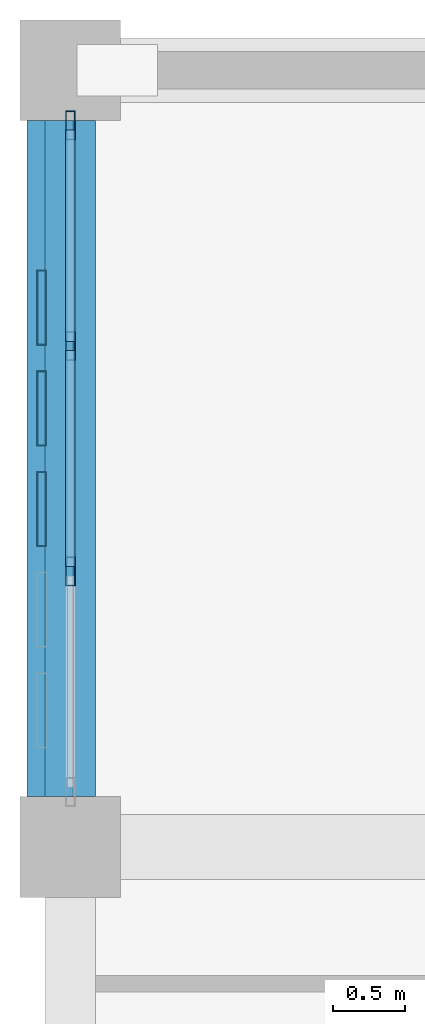
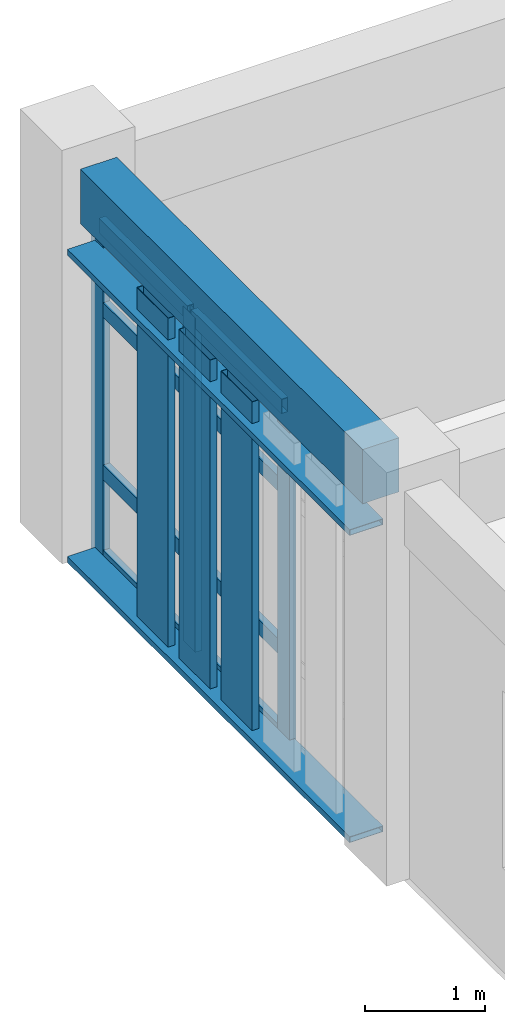
# One storey, part 10 of 23: 16 members, 1 beam, 1 element without a shape of its own.
"""IFC4 building model written with IfcOpenShell, lengths in metres."""

from ifc_helpers import new_model, si_unit, direction, frame, origin, origin_2d, place, context, subcontext, project, spatial, rectangle, hollow_rectangle, extrude, material, layer, layer_set, material_profile, profile_set, type_object, element, aggregate, save


model = new_model("IFC4")

# Units and contexts
model_context = context("Model", 3, precision=1e-05, world=origin(), true_north=direction((0.0, 1.0)))
body_context = subcontext(model_context, "Body", "Model", "MODEL_VIEW")
ifc_project = project(units=[si_unit("LENGTHUNIT", "METRE"), si_unit("AREAUNIT", "SQUARE_METRE"), si_unit("VOLUMEUNIT", "CUBIC_METRE"), si_unit("PLANEANGLEUNIT", "RADIAN"), si_unit("MASSUNIT", "GRAM", prefix="KILO")], contexts=[model_context])

# Site, building, storey
site_placement = place(None, origin())
site = spatial("IfcSite", under=ifc_project, at=site_placement, CompositionType="ELEMENT")
building_placement = place(site_placement, origin())
building = spatial("IfcBuilding", under=site, at=building_placement, Name="Krzemoval Escarpment Law Courts", CompositionType="ELEMENT")
storey_placement = place(building_placement, frame((0.0, 0.0, 25.199951171875)))
storey = spatial("IfcBuildingStorey", under=building, at=storey_placement, Name="L05", CompositionType="ELEMENT", Elevation=25.199951171875)

# Beam
ifc_material_1 = material(Name="Concrete C40/50", Category="concrete")
ifc_material_profile_1 = material_profile(ifc_material_1, rectangle(XDim=0.35009765625, YDim=0.550048828125, at=origin_2d()), Name="RCB 350x550")
ifc_profile_set_1 = profile_set([ifc_material_profile_1], Name="Concrete C40/50")
beam_type = type_object("IfcBeamType", Name="BM-RC-350x550", PredefinedType="BEAM", material=ifc_profile_set_1)
beam_placement = place(storey_placement, frame((126.0, 113.75, 3.675048828125), z_axis=(0.0, 1.0, 0.0), x_axis=(-1.0, 0.0, 0.0)))
element("IfcBeam", 1, at=beam_placement, inside=storey, type_object=beam_type, Name="Beam FG-L05-2601", PredefinedType="BEAM", context=body_context, shape_type="SweptSolid", body=[
    extrude(rectangle(XDim=0.35009765625, YDim=0.550048828125, at=origin_2d()), origin(), (0.0, 0.0, 1.0), 4.699951171875),
])

# Curtain wall, members
ifc_material_2 = material(Name="Aluminium 6063-T6", Category="aluminium")
ifc_layer = layer(ifc_material_2, 0.219970703125)
ifc_layer_set = layer_set([ifc_layer], Name="Aluminium 6063-T6")
curtain_wall_type = type_object("IfcCurtainWallType", Name="CW-CHMB-4200", PredefinedType="USERDEFINED", material=ifc_layer_set)
curtain_wall_placement = place(storey_placement, origin())
curtain_wall = element("IfcCurtainWall", 2, at=curtain_wall_placement, inside=storey, type_object=curtain_wall_type, Name="Unitised Curtain Wall FCW-L05-136", ObjectType="UNITISED_CURTAIN_WALL", PredefinedType="USERDEFINED")
ifc_material_3 = material(Name="Aluminium 6063-T6", Category="aluminium")
ifc_material_profile_2 = material_profile(ifc_material_3, hollow_rectangle(XDim=0.06494140625, YDim=0.199951171875, WallThickness=0.00439453125, at=origin_2d()), Name="ALU M65x200")
ifc_profile_set_2 = profile_set([ifc_material_profile_2], Name="Aluminium 6063-T6")
member_type_1 = type_object("IfcMemberType", Name="CWM-65x200", PredefinedType="MULLION", material=ifc_profile_set_2)
member_1_placement = place(storey_placement, frame((126.0, 115.316650390625, 0.0), z_axis=(0.0, 0.0, 1.0), x_axis=(-1.0, 0.0, 0.0)))
member_1 = element("IfcMember", 3, at=member_1_placement, type_object=member_type_1, Name="FCW-L05-136 mullion 2", PredefinedType="MULLION", context=body_context, shape_type="SweptSolid", body=[
    extrude(hollow_rectangle(XDim=0.06494140625, YDim=0.199951171875, WallThickness=0.00439453125, at=origin_2d()), origin(), (0.0, 0.0, 1.0), 3.400146484375),
])
member_2_placement = place(storey_placement, frame((126.0, 116.88330078125, 0.0), z_axis=(0.0, 0.0, 1.0), x_axis=(-1.0, 0.0, 0.0)))
member_2 = element("IfcMember", 4, at=member_2_placement, type_object=member_type_1, Name="FCW-L05-136 mullion 3", PredefinedType="MULLION", context=body_context, shape_type="SweptSolid", body=[
    extrude(hollow_rectangle(XDim=0.06494140625, YDim=0.199951171875, WallThickness=0.00439453125, at=origin_2d()), origin(), (0.0, 0.0, 1.0), 3.400146484375),
])
member_3_placement = place(storey_placement, frame((126.0, 118.41748046875, 0.0), z_axis=(0.0, 0.0, 1.0), x_axis=(-1.0, 0.0, 0.0)))
member_3 = element("IfcMember", 5, at=member_3_placement, type_object=member_type_1, Name="FCW-L05-136 mullion 4", PredefinedType="MULLION", context=body_context, shape_type="SweptSolid", body=[
    extrude(hollow_rectangle(XDim=0.06494140625, YDim=0.199951171875, WallThickness=0.00439453125, at=origin_2d()), origin(), (0.0, 0.0, 1.0), 3.400146484375),
])
ifc_material_4 = material(Name="Aluminium 6063-T6", Category="aluminium")
ifc_material_profile_3 = material_profile(ifc_material_4, hollow_rectangle(XDim=0.06494140625, YDim=0.14990234375, WallThickness=0.00439453125, at=origin_2d()), Name="ALU T65x150")
ifc_profile_set_3 = profile_set([ifc_material_profile_3], Name="Aluminium 6063-T6")
member_type_2 = type_object("IfcMemberType", Name="CWT-65x150", PredefinedType="USERDEFINED", material=ifc_profile_set_3)
member_4_placement = place(storey_placement, frame((126.0, 115.34912109375, 0.032470703125), z_axis=(0.0, 1.0, 0.0), x_axis=(-1.0, 0.0, 0.0)))
member_4 = element("IfcMember", 6, at=member_4_placement, type_object=member_type_2, Name="FCW-L05-136 transom 2.1", ObjectType="TRANSOM", PredefinedType="USERDEFINED", context=body_context, shape_type="SweptSolid", body=[
    extrude(hollow_rectangle(XDim=0.06494140625, YDim=0.14990234375, WallThickness=0.00439453125, at=origin_2d()), origin(), (0.0, 0.0, 1.0), 1.501708984375),
])
member_5_placement = place(storey_placement, frame((126.0, 115.34912109375, 0.900146484375), z_axis=(0.0, 1.0, 0.0), x_axis=(-1.0, 0.0, 0.0)))
member_5 = element("IfcMember", 7, at=member_5_placement, type_object=member_type_2, Name="FCW-L05-136 transom 2.2", ObjectType="TRANSOM", PredefinedType="USERDEFINED", context=body_context, shape_type="SweptSolid", body=[
    extrude(hollow_rectangle(XDim=0.06494140625, YDim=0.14990234375, WallThickness=0.00439453125, at=origin_2d()), origin(), (0.0, 0.0, 1.0), 1.501708984375),
])
member_6_placement = place(storey_placement, frame((126.0, 115.34912109375, 2.550048828125), z_axis=(0.0, 1.0, 0.0), x_axis=(-1.0, 0.0, 0.0)))
member_6 = element("IfcMember", 8, at=member_6_placement, type_object=member_type_2, Name="FCW-L05-136 transom 2.3", ObjectType="TRANSOM", PredefinedType="USERDEFINED", context=body_context, shape_type="SweptSolid", body=[
    extrude(hollow_rectangle(XDim=0.06494140625, YDim=0.14990234375, WallThickness=0.00439453125, at=origin_2d()), origin(), (0.0, 0.0, 1.0), 1.501708984375),
])
member_7_placement = place(storey_placement, frame((126.0, 115.34912109375, 3.367431640625), z_axis=(0.0, 1.0, 0.0), x_axis=(-1.0, 0.0, 0.0)))
member_7 = element("IfcMember", 9, at=member_7_placement, type_object=member_type_2, Name="FCW-L05-136 transom 2.4", ObjectType="TRANSOM", PredefinedType="USERDEFINED", context=body_context, shape_type="SweptSolid", body=[
    extrude(hollow_rectangle(XDim=0.06494140625, YDim=0.14990234375, WallThickness=0.00439453125, at=origin_2d()), origin(), (0.0, 0.0, 1.0), 1.501708984375),
])
member_8_placement = place(storey_placement, frame((126.0, 116.915771484375, 0.032470703125), z_axis=(0.0, 1.0, 0.0), x_axis=(-1.0, 0.0, 0.0)))
member_8 = element("IfcMember", 10, at=member_8_placement, type_object=member_type_2, Name="FCW-L05-136 transom 3.1", ObjectType="TRANSOM", PredefinedType="USERDEFINED", context=body_context, shape_type="SweptSolid", body=[
    extrude(hollow_rectangle(XDim=0.06494140625, YDim=0.14990234375, WallThickness=0.00439453125, at=origin_2d()), origin(), (0.0, 0.0, 1.0), 1.46923828125),
])
member_9_placement = place(storey_placement, frame((126.0, 116.915771484375, 0.900146484375), z_axis=(0.0, 1.0, 0.0), x_axis=(-1.0, 0.0, 0.0)))
member_9 = element("IfcMember", 11, at=member_9_placement, type_object=member_type_2, Name="FCW-L05-136 transom 3.2", ObjectType="TRANSOM", PredefinedType="USERDEFINED", context=body_context, shape_type="SweptSolid", body=[
    extrude(hollow_rectangle(XDim=0.06494140625, YDim=0.14990234375, WallThickness=0.00439453125, at=origin_2d()), origin(), (0.0, 0.0, 1.0), 1.46923828125),
])
member_10_placement = place(storey_placement, frame((126.0, 116.915771484375, 2.550048828125), z_axis=(0.0, 1.0, 0.0), x_axis=(-1.0, 0.0, 0.0)))
member_10 = element("IfcMember", 12, at=member_10_placement, type_object=member_type_2, Name="FCW-L05-136 transom 3.3", ObjectType="TRANSOM", PredefinedType="USERDEFINED", context=body_context, shape_type="SweptSolid", body=[
    extrude(hollow_rectangle(XDim=0.06494140625, YDim=0.14990234375, WallThickness=0.00439453125, at=origin_2d()), origin(), (0.0, 0.0, 1.0), 1.46923828125),
])
member_11_placement = place(storey_placement, frame((126.0, 116.915771484375, 3.367431640625), z_axis=(0.0, 1.0, 0.0), x_axis=(-1.0, 0.0, 0.0)))
member_11 = element("IfcMember", 13, at=member_11_placement, type_object=member_type_2, Name="FCW-L05-136 transom 3.4", ObjectType="TRANSOM", PredefinedType="USERDEFINED", context=body_context, shape_type="SweptSolid", body=[
    extrude(hollow_rectangle(XDim=0.06494140625, YDim=0.14990234375, WallThickness=0.00439453125, at=origin_2d()), origin(), (0.0, 0.0, 1.0), 1.46923828125),
])
aggregate(curtain_wall, [member_1, member_2, member_3, member_4, member_5, member_6, member_7, member_8, member_9, member_10, member_11])

# Members
ifc_material_5 = material(Name="Anodised Aluminium Alloy 6063-T6", Category="aluminium")
ifc_material_profile_4 = material_profile(ifc_material_5, hollow_rectangle(XDim=0.06005859375, YDim=0.320068359375, WallThickness=0.00390625, at=origin_2d()), Name="ALU LVR 60x320")
ifc_profile_set_4 = profile_set([ifc_material_profile_4], Name="Anodised Aluminium Alloy 6063-T6")
member_type_3 = type_object("IfcMemberType", Name="LVR-ALU-320", PredefinedType="USERDEFINED", material=ifc_profile_set_4)
for number, where, z_axis, x_axis, name in (
    (14, (125.860107421875, 113.75, 0.030029296875), (0.0, 1.0, 0.0), (0.0, 0.0, 1.0), "Sunshade Support Rail FSR-L05-0928"),
    (15, (125.860107421875, 113.75, 3.150146484375), (0.0, 1.0, 0.0), (0.0, 0.0, 1.0), "Sunshade Support Rail FSR-L05-0929"),
):
    element("IfcMember", number, at=place(storey_placement, frame(where, z_axis=z_axis, x_axis=x_axis)), inside=storey, type_object=member_type_3, Name=name, ObjectType="SUNSHADE_LOUVRE", PredefinedType="USERDEFINED", context=body_context, shape_type="SweptSolid", body=[
        extrude(hollow_rectangle(XDim=0.06005859375, YDim=0.320068359375, WallThickness=0.00390625, at=origin_2d()), origin(), (0.0, 0.0, 1.0), 4.699951171875),
    ])
ifc_material_6 = material(Name="Anodised Aluminium Alloy 6063-T6", Category="aluminium")
ifc_material_profile_5 = material_profile(ifc_material_6, hollow_rectangle(XDim=0.06494140625, YDim=0.52001953125, WallThickness=0.00439453125, at=origin_2d()), Name="ALU LVR 65x520")
ifc_profile_set_5 = profile_set([ifc_material_profile_5], Name="Anodised Aluminium Alloy 6063-T6")
member_type_4 = type_object("IfcMemberType", Name="LVR-ALU-520", PredefinedType="USERDEFINED", material=ifc_profile_set_5)
for number, where, z_axis, x_axis, name in (
    (16, (125.800048828125, 115.75, 0.06005859375), (0.0, 0.0, 1.0), (1.0, 0.0, 0.0), "Sunshade Louvre Fin FLV-L05-0932"),
    (17, (125.800048828125, 116.449951171875, 0.06005859375), (0.0, 0.0, 1.0), (1.0, 0.0, 0.0), "Sunshade Louvre Fin FLV-L05-0933"),
    (18, (125.800048828125, 117.14990234375, 0.06005859375), (0.0, 0.0, 1.0), (1.0, 0.0, 0.0), "Sunshade Louvre Fin FLV-L05-0934"),
):
    element("IfcMember", number, at=place(storey_placement, frame(where, z_axis=z_axis, x_axis=x_axis)), inside=storey, type_object=member_type_4, Name=name, ObjectType="SUNSHADE_LOUVRE", PredefinedType="USERDEFINED", context=body_context, shape_type="SweptSolid", body=[
        extrude(hollow_rectangle(XDim=0.06494140625, YDim=0.52001953125, WallThickness=0.00439453125, at=origin_2d()), origin(), (0.0, 0.0, 1.0), 3.340087890625),
    ])

save(model, "model.ifc")
